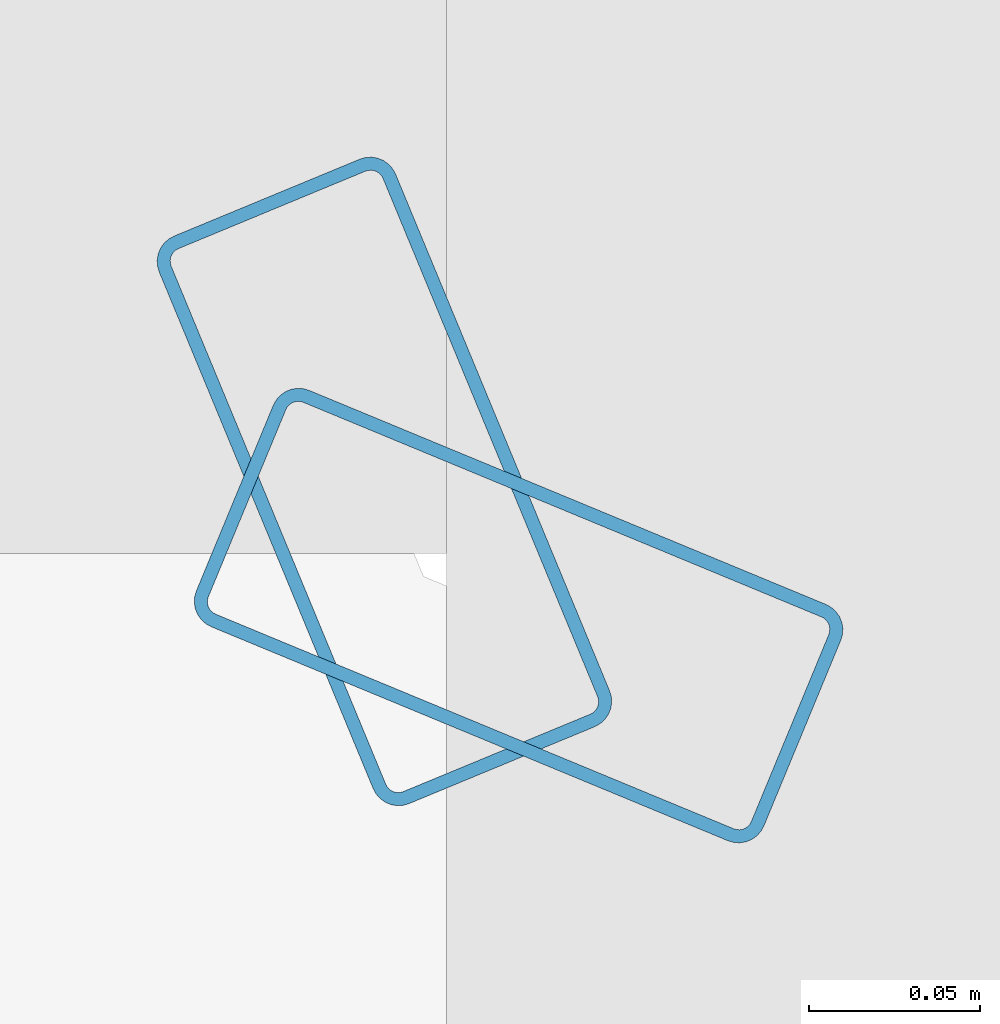
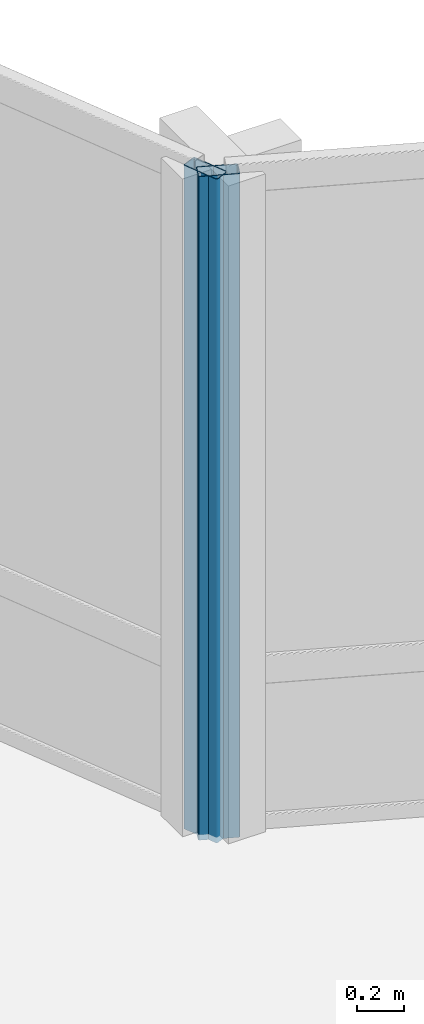
# One storey, part 8 of 29: 2 members, 2 elements without a shape of their own.
"""IFC4 building model written with IfcOpenShell, lengths in metres."""

from ifc_helpers import new_model, si_unit, direction, frame, origin, origin_2d, place, context, subcontext, project, spatial, hollow_rectangle, extrude, material, layer, layer_set, material_profile, profile_set, type_object, element, aggregate, save


model = new_model("IFC4")

# Units and contexts
model_context = context("Model", 3, precision=1e-05, world=origin(), true_north=direction((0.0, 1.0)))
body_context = subcontext(model_context, "Body", "Model", "MODEL_VIEW")
ifc_project = project(units=[si_unit("LENGTHUNIT", "METRE"), si_unit("AREAUNIT", "SQUARE_METRE"), si_unit("VOLUMEUNIT", "CUBIC_METRE"), si_unit("PLANEANGLEUNIT", "RADIAN"), si_unit("MASSUNIT", "GRAM", prefix="KILO")], contexts=[model_context])

# Site, building, storey
site_placement = place(None, origin())
site = spatial("IfcSite", under=ifc_project, at=site_placement, CompositionType="ELEMENT")
building_placement = place(site_placement, origin())
building = spatial("IfcBuilding", under=site, at=building_placement, Name="Solvaryn Broadcast Tower", CompositionType="ELEMENT")
storey_placement = place(building_placement, frame((0.0, 0.0, 128.5)))
storey = spatial("IfcBuildingStorey", under=building, at=storey_placement, Name="L31", CompositionType="ELEMENT", Elevation=128.5)

# Curtain wall, member
ifc_material_1 = material(Name="Aluminium and Terracotta Unitised Curtain Wall", Category="masonry")
ifc_layer = layer(ifc_material_1, 0.199951171875)
ifc_layer_set = layer_set([ifc_layer], Name="CW-SYS2-LOWMID")
curtain_wall_type = type_object("IfcCurtainWallType", Name="CW-SYS2-LOWMID", PredefinedType="NOTDEFINED", material=ifc_layer_set)
curtain_wall_1_placement = place(storey_placement, origin())
curtain_wall_1 = element("IfcCurtainWall", 1, at=curtain_wall_1_placement, inside=storey, type_object=curtain_wall_type, Name="L31 Curtain Wall CN1", PredefinedType="NOTDEFINED")
ifc_material_2 = material(Name="Anodised Aluminium 6063-T6", Category="aluminium")
ifc_material_profile = material_profile(ifc_material_2, hollow_rectangle(XDim=0.074951171875, YDim=0.179931640625, WallThickness=0.00390625, InnerFilletRadius=0.00390625, OuterFilletRadius=0.008056640625, at=origin_2d()))
ifc_profile_set = profile_set([ifc_material_profile], Name="Anodised Aluminium 6063-T6")
member_type = type_object("IfcMemberType", Name="CW-MUL-180", PredefinedType="MULLION", material=ifc_profile_set)
member_1_placement = place(storey_placement, frame((30.395751953125, 30.3564453125, 0.0), z_axis=(0.0, 0.0, 1.0), x_axis=(-0.382646127145, -0.923894983957, 0.0)))
member_1 = element("IfcMember", 2, at=member_1_placement, type_object=member_type, Name="CWS2 mullion 2", PredefinedType="MULLION", context=body_context, shape_type="SweptSolid", body=[
    extrude(hollow_rectangle(XDim=0.074951171875, YDim=0.179931640625, WallThickness=0.00390625, InnerFilletRadius=0.00390625, OuterFilletRadius=0.008056640625, at=origin_2d()), origin(), (0.0, 0.0, 1.0), 3.419921875),
])
aggregate(curtain_wall_1, [member_1])

curtain_wall_2_placement = place(storey_placement, origin())
curtain_wall_2 = element("IfcCurtainWall", 3, at=curtain_wall_2_placement, inside=storey, type_object=curtain_wall_type, Name="L31 Curtain Wall CN2", PredefinedType="NOTDEFINED")
member_2_placement = place(storey_placement, frame((30.3564453125, 30.395751953125, 0.0), z_axis=(0.0, 0.0, 1.0), x_axis=(-0.923894983957, -0.382646127145, 0.0)))
member_2 = element("IfcMember", 4, at=member_2_placement, type_object=member_type, Name="CWS2 mullion 1", PredefinedType="MULLION", context=body_context, shape_type="SweptSolid", body=[
    extrude(hollow_rectangle(XDim=0.074951171875, YDim=0.179931640625, WallThickness=0.00390625, InnerFilletRadius=0.00390625, OuterFilletRadius=0.008056640625, at=origin_2d()), origin(), (0.0, 0.0, 1.0), 3.419921875),
])
aggregate(curtain_wall_2, [member_2])

save(model, "model.ifc")
